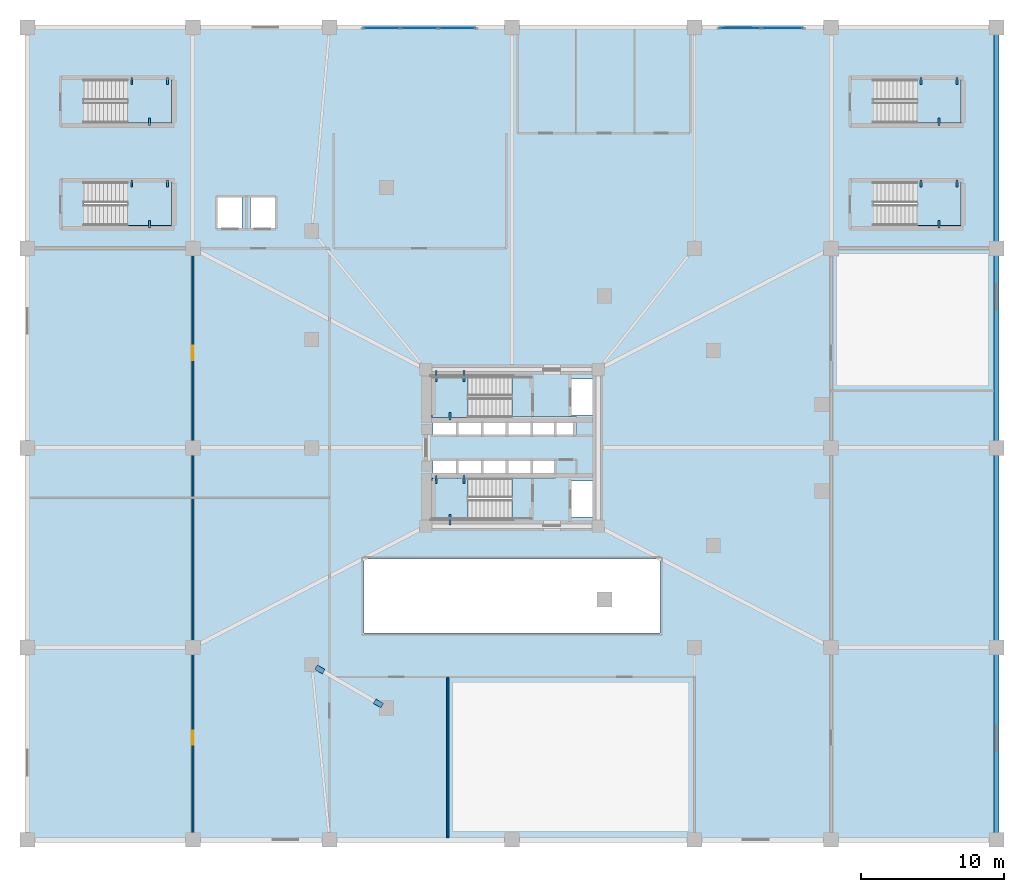
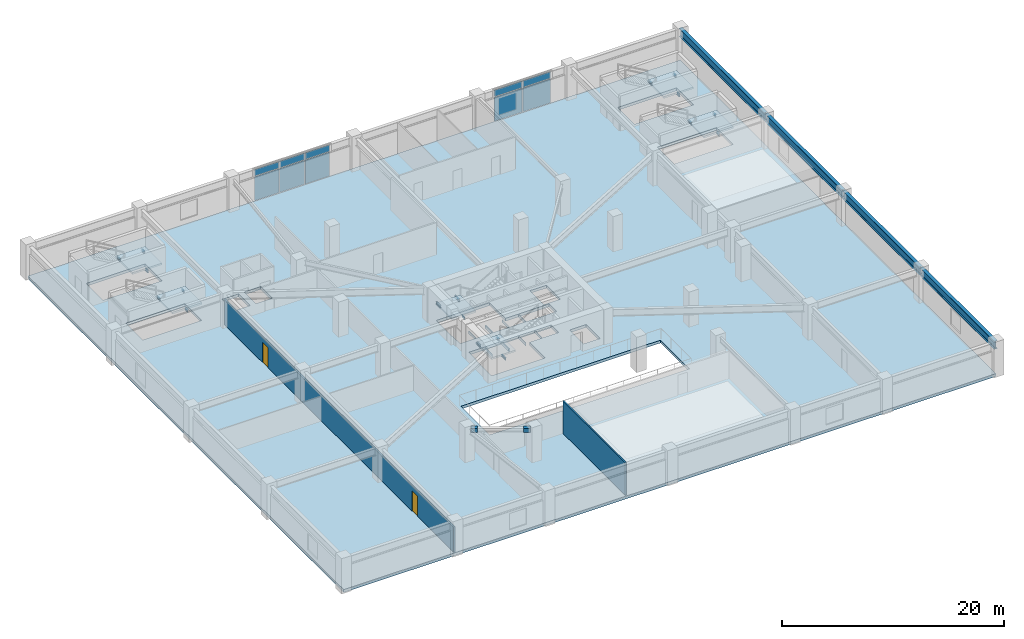
# One storey, part 3 of 15: 22 beams, 12 plates, 7 slabs, 2 doors, 2 walls, 2 openings, 8 elements without a shape of their own.
"""IFC4 building model written with IfcOpenShell, lengths in metres."""

from ifc_helpers import new_model, si_unit, direction, frame, frame_2d, origin, origin_2d, place, context, subcontext, project, spatial, polyline, rectangle, i_section, outline, extrude, source, transform, mapped, material, layer, layer_set, material_profile, profile_set, type_object, element, fill, aggregate, save


model = new_model("IFC4")

# Units and contexts
model_context = context("Model", 3, precision=1e-05, world=origin(), true_north=direction((0.0, 1.0)))
body_context = subcontext(model_context, "Body", "Model", "MODEL_VIEW")
ifc_project = project(units=[si_unit("LENGTHUNIT", "METRE"), si_unit("AREAUNIT", "SQUARE_METRE"), si_unit("VOLUMEUNIT", "CUBIC_METRE"), si_unit("PLANEANGLEUNIT", "RADIAN"), si_unit("MASSUNIT", "GRAM", prefix="KILO")], contexts=[model_context])

# Site, building, storey
site_placement = place(None, origin())
site = spatial("IfcSite", under=ifc_project, at=site_placement, CompositionType="ELEMENT")
building_placement = place(site_placement, origin())
building = spatial("IfcBuilding", under=site, at=building_placement, Name="Yunling Apex Tower", CompositionType="ELEMENT")
storey_placement = place(building_placement, frame((0.0, 0.0, 12.300048828125)))
storey = spatial("IfcBuildingStorey", under=building, at=storey_placement, Name="L04", CompositionType="ELEMENT", Elevation=12.300048828125)

# Beams
ifc_material_1 = material(Name="Steel Q355B", Category="steel")
ifc_material_profile_1 = material_profile(ifc_material_1, i_section(OverallWidth=0.125, OverallDepth=0.25, WebThickness=0.006103515625, FlangeThickness=0.009033203125, FilletRadius=0.011962890625, at=origin_2d()))
ifc_profile_set_1 = profile_set([ifc_material_profile_1], Name="Steel Q355B")
beam_type_1 = type_object("IfcBeamType", Name="BL-LNT-1", PredefinedType="LINTEL", material=ifc_profile_set_1)
shared_shape_1 = source(origin(), body_context, "Body", "SweptSolid", [
    extrude(i_section(OverallWidth=0.125, OverallDepth=0.25, WebThickness=0.006103515625, FlangeThickness=0.009033203125, FilletRadius=0.011962890625, at=origin_2d()), origin(), (0.0, 0.0, 1.0), 0.760009765625),
])
for number, where, z_axis, x_axis, name in (
    (1, (-5.320068359375, 5.419921875, 1.6298828125), (0.0, -1.0, 0.0), (1.0, 0.0, 0.0), "L04 ST-1 Landing Bearing Corbel 1-1"),
    (2, (-3.3701171875, 5.419921875, 1.6298828125), (0.0, -1.0, 0.0), (1.0, 0.0, 0.0), "L04 ST-1 Landing Bearing Corbel 1-2"),
    (3, (-4.344970703125, -5.419921875, 1.6298828125), (0.0, 1.0, 0.0), (-1.0, 0.0, 0.0), "L04 ST-2 Landing Bearing Corbel 1-3"),
):
    element("IfcBeam", number, at=place(storey_placement, frame(where, z_axis=z_axis, x_axis=x_axis)), inside=storey, type_object=beam_type_1, Name=name, PredefinedType="LINTEL", context=body_context, shape_type="MappedRepresentation", body=[
        mapped(shared_shape_1, transform((0.0, 0.0, 0.0), scale=1.0)),
    ])
shared_shape_2 = source(origin(), body_context, "Body", "SweptSolid", [
    extrude(i_section(OverallWidth=0.125, OverallDepth=0.25, WebThickness=0.006103515625, FlangeThickness=0.009033203125, FilletRadius=0.011962890625, at=origin_2d()), origin(), (0.0, 0.0, 1.0), 0.550048828125),
])
for number, where, z_axis, x_axis, name in (
    (4, (-4.344970703125, 1.93994140625, 1.6298828125), (0.0, 1.0, 0.0), (-1.0, 0.0, 0.0), "L04 ST-1 Landing Bearing Corbel 1-3"),
    (5, (-5.320068359375, -1.93994140625, 1.6298828125), (0.0, -1.0, 0.0), (1.0, 0.0, 0.0), "L04 ST-2 Landing Bearing Corbel 1-1"),
    (6, (-3.3701171875, -1.93994140625, 1.6298828125), (0.0, -1.0, 0.0), (1.0, 0.0, 0.0), "L04 ST-2 Landing Bearing Corbel 1-2"),
):
    element("IfcBeam", number, at=place(storey_placement, frame(where, z_axis=z_axis, x_axis=x_axis)), inside=storey, type_object=beam_type_1, Name=name, PredefinedType="LINTEL", context=body_context, shape_type="MappedRepresentation", body=[
        mapped(shared_shape_2, transform((0.0, 0.0, 0.0), scale=1.0)),
    ])
shared_shape_3 = source(origin(), body_context, "Body", "SweptSolid", [
    extrude(i_section(OverallWidth=0.125, OverallDepth=0.25, WebThickness=0.006103515625, FlangeThickness=0.009033203125, FilletRadius=0.011962890625, at=origin_2d()), origin(), (0.0, 0.0, 1.0), 0.47998046875),
])
for number, where, z_axis, x_axis, name in (
    (7, (-26.68994140625, 18.780029296875, 1.6298828125), (0.0, -1.0, 0.0), (1.0, 0.0, 0.0), "L04 ST-P1 Landing Bearing Corbel 1-1"),
    (8, (-24.179931640625, 18.780029296875, 1.6298828125), (0.0, -1.0, 0.0), (1.0, 0.0, 0.0), "L04 ST-P1 Landing Bearing Corbel 1-2"),
    (9, (28.7099609375, 18.780029296875, 1.6298828125), (0.0, -1.0, 0.0), (1.0, 0.0, 0.0), "L04 ST-P2 Landing Bearing Corbel 1-1"),
    (10, (31.219970703125, 18.780029296875, 1.6298828125), (0.0, -1.0, 0.0), (1.0, 0.0, 0.0), "L04 ST-P2 Landing Bearing Corbel 1-2"),
    (11, (-26.68994140625, 25.97998046875, 1.6298828125), (0.0, -1.0, 0.0), (1.0, 0.0, 0.0), "L04 ST-G1 Landing Bearing Corbel 1-1"),
    (12, (-24.179931640625, 25.97998046875, 1.6298828125), (0.0, -1.0, 0.0), (1.0, 0.0, 0.0), "L04 ST-G1 Landing Bearing Corbel 1-2"),
    (13, (28.7099609375, 25.97998046875, 1.6298828125), (0.0, -1.0, 0.0), (1.0, 0.0, 0.0), "L04 ST-G2 Landing Bearing Corbel 1-1"),
    (14, (31.219970703125, 25.97998046875, 1.6298828125), (0.0, -1.0, 0.0), (1.0, 0.0, 0.0), "L04 ST-G2 Landing Bearing Corbel 1-2"),
):
    element("IfcBeam", number, at=place(storey_placement, frame(where, z_axis=z_axis, x_axis=x_axis)), inside=storey, type_object=beam_type_1, Name=name, PredefinedType="LINTEL", context=body_context, shape_type="MappedRepresentation", body=[
        mapped(shared_shape_3, transform((0.0, 0.0, 0.0), scale=1.0)),
    ])
shared_shape_4 = source(origin(), body_context, "Body", "SweptSolid", [
    extrude(i_section(OverallWidth=0.125, OverallDepth=0.25, WebThickness=0.006103515625, FlangeThickness=0.009033203125, FilletRadius=0.011962890625, at=origin_2d()), origin(), (0.0, 0.0, 1.0), 0.530029296875),
])
for number, where, z_axis, x_axis, name in (
    (15, (-25.43505859375, 15.419921875, 1.6298828125), (0.0, 1.0, 0.0), (-1.0, 0.0, 0.0), "L04 ST-P1 Landing Bearing Corbel 1-3"),
    (16, (29.965087890625, 15.419921875, 1.6298828125), (0.0, 1.0, 0.0), (-1.0, 0.0, 0.0), "L04 ST-P2 Landing Bearing Corbel 1-3"),
):
    element("IfcBeam", number, at=place(storey_placement, frame(where, z_axis=z_axis, x_axis=x_axis)), inside=storey, type_object=beam_type_1, Name=name, PredefinedType="LINTEL", context=body_context, shape_type="MappedRepresentation", body=[
        mapped(shared_shape_4, transform((0.0, 0.0, 0.0), scale=1.0)),
    ])
shared_shape_5 = source(origin(), body_context, "Body", "SweptSolid", [
    extrude(i_section(OverallWidth=0.125, OverallDepth=0.25, WebThickness=0.006103515625, FlangeThickness=0.009033203125, FilletRadius=0.011962890625, at=origin_2d()), origin(), (0.0, 0.0, 1.0), 0.52978515625),
])
for number, where, z_axis, x_axis, name in (
    (17, (-25.43505859375, 22.6201171875, 1.6298828125), (0.0, 1.0, 0.0), (-1.0, 0.0, 0.0), "L04 ST-G1 Landing Bearing Corbel 1-3"),
    (18, (29.965087890625, 22.6201171875, 1.6298828125), (0.0, 1.0, 0.0), (-1.0, 0.0, 0.0), "L04 ST-G2 Landing Bearing Corbel 1-3"),
):
    element("IfcBeam", number, at=place(storey_placement, frame(where, z_axis=z_axis, x_axis=x_axis)), inside=storey, type_object=beam_type_1, Name=name, PredefinedType="LINTEL", context=body_context, shape_type="MappedRepresentation", body=[
        mapped(shared_shape_5, transform((0.0, 0.0, 0.0), scale=1.0)),
    ])
ifc_material_profile_2 = material_profile(ifc_material_1, i_section(OverallWidth=0.35009765625, OverallDepth=0.89990234375, WebThickness=0.01806640625, FlangeThickness=0.028076171875, FilletRadius=0.02392578125, at=origin_2d()))
ifc_profile_set_2 = profile_set([ifc_material_profile_2], Name="Steel Q355B")
beam_type_2 = type_object("IfcBeamType", Name="BG-PRI-1", PredefinedType="USERDEFINED", material=ifc_profile_set_2)
shared_shape_6 = source(origin(), body_context, "Body", "SweptSolid", [
    extrude(i_section(OverallWidth=0.35009765625, OverallDepth=0.89990234375, WebThickness=0.01806640625, FlangeThickness=0.028076171875, FilletRadius=0.02392578125, at=origin_2d()), origin(), (0.0, 0.0, 1.0), 13.419921875),
])
beam_1_placement = place(storey_placement, frame((34.0, -27.4599609375, 3.139892578125), z_axis=(0.0, 1.0, 0.0), x_axis=(-1.0, 0.0, 0.0)))
element("IfcBeam", 19, at=beam_1_placement, inside=storey, type_object=beam_type_2, Name="L04 Podium Side Girder 17", ObjectType="GIRDER", PredefinedType="USERDEFINED", context=body_context, shape_type="MappedRepresentation", body=[
    mapped(shared_shape_6, transform((0.0, 0.0, 0.0), scale=1.0)),
])
shared_shape_7 = source(origin(), body_context, "Body", "SweptSolid", [
    extrude(i_section(OverallWidth=0.35009765625, OverallDepth=0.89990234375, WebThickness=0.01806640625, FlangeThickness=0.028076171875, FilletRadius=0.02392578125, at=origin_2d()), origin(), (0.0, 0.0, 1.0), 13.919921875),
])
for number, where, z_axis, x_axis, name in (
    (20, (34.0, -13.9599609375, 3.139892578125), (0.0, 1.0, 0.0), (-1.0, 0.0, 0.0), "L04 Podium Side Girder 18"),
    (21, (34.0, 0.0400390625, 3.139892578125), (0.0, 1.0, 0.0), (-1.0, 0.0, 0.0), "L04 Podium Side Girder 19"),
):
    element("IfcBeam", number, at=place(storey_placement, frame(where, z_axis=z_axis, x_axis=x_axis)), inside=storey, type_object=beam_type_2, Name=name, ObjectType="GIRDER", PredefinedType="USERDEFINED", context=body_context, shape_type="MappedRepresentation", body=[
        mapped(shared_shape_7, transform((0.0, 0.0, 0.0), scale=1.0)),
    ])
shared_shape_8 = source(origin(), body_context, "Body", "SweptSolid", [
    extrude(i_section(OverallWidth=0.35009765625, OverallDepth=0.89990234375, WebThickness=0.01806640625, FlangeThickness=0.028076171875, FilletRadius=0.02392578125, at=origin_2d()), origin(), (0.0, 0.0, 1.0), 15.419921875),
])
beam_2_placement = place(storey_placement, frame((34.0, 14.0400390625, 3.139892578125), z_axis=(0.0, 1.0, 0.0), x_axis=(-1.0, 0.0, 0.0)))
element("IfcBeam", 22, at=beam_2_placement, inside=storey, type_object=beam_type_2, Name="L04 Podium Side Girder 20", ObjectType="GIRDER", PredefinedType="USERDEFINED", context=body_context, shape_type="MappedRepresentation", body=[
    mapped(shared_shape_8, transform((0.0, 0.0, 0.0), scale=1.0)),
])

# Stair, slab
ifc_material_2 = material(Name="Concrete C40", Category="concrete")
stair_type_1 = type_object("IfcStairType", Name="ST-TWR-1", PredefinedType="HALF_TURN_STAIR", material=ifc_material_2)
stair_1_placement = place(storey_placement, origin())
stair_1 = element("IfcStair", 23, at=stair_1_placement, inside=storey, type_object=stair_type_1, Name="L04 North Core Smokeproof Exit Stair ST-1", PredefinedType="HALF_TURN_STAIR")
ifc_layer_1 = layer(ifc_material_2, 0.195068359375)
ifc_layer_set_1 = layer_set([ifc_layer_1], Name="Concrete C40")
slab_type_1 = type_object("IfcSlabType", Name="SL-LND-1", PredefinedType="LANDING", material=ifc_layer_set_1)
slab_1_placement = place(storey_placement, frame((0.0, 0.0, 1.7548828125)))
slab_1 = element("IfcSlab", 24, at=slab_1_placement, type_object=slab_type_1, Name="ST-1 landing 1", PredefinedType="LANDING", context=body_context, shape_type="SweptSolid", body=[
    extrude(outline(polyline([(-3.090087890625, 5.010009765625), (-5.60009765625, 5.010009765625), (-5.60009765625, 2.139892578125), (-3.090087890625, 2.139892578125), (-3.090087890625, 5.010009765625)])), origin(), (0.0, 0.0, 1.0), 0.195068359375),
])
aggregate(stair_1, [slab_1])

stair_2_placement = place(storey_placement, origin())
stair_2 = element("IfcStair", 25, at=stair_2_placement, inside=storey, type_object=stair_type_1, Name="L04 South Core Smokeproof Exit Stair ST-2", PredefinedType="HALF_TURN_STAIR")
slab_2_placement = place(storey_placement, frame((0.0, 0.0, 1.7548828125)))
slab_2 = element("IfcSlab", 26, at=slab_2_placement, type_object=slab_type_1, Name="ST-2 landing 1", PredefinedType="LANDING", context=body_context, shape_type="SweptSolid", body=[
    extrude(outline(polyline([(-3.090087890625, -2.139892578125), (-5.60009765625, -2.139892578125), (-5.60009765625, -5.010009765625), (-3.090087890625, -5.010009765625), (-3.090087890625, -2.139892578125)])), origin(), (0.0, 0.0, 1.0), 0.195068359375),
])
aggregate(stair_2, [slab_2])

stair_type_2 = type_object("IfcStairType", Name="ST-POD-1", PredefinedType="HALF_TURN_STAIR", material=ifc_material_2)
stair_3_placement = place(storey_placement, origin())
stair_3 = element("IfcStair", 27, at=stair_3_placement, inside=storey, type_object=stair_type_2, Name="L04 West Podium Smokeproof Stair ST-P1", PredefinedType="HALF_TURN_STAIR")
slab_3_placement = place(storey_placement, frame((0.0, 0.0, 1.7548828125)))
slab_3 = element("IfcSlab", 28, at=slab_3_placement, type_object=slab_type_1, Name="ST-P1 landing 1", PredefinedType="LANDING", context=body_context, shape_type="SweptSolid", body=[
    extrude(outline(polyline([(-26.969970703125, 15.60009765625), (-23.89990234375, 15.60009765625), (-23.89990234375, 18.64990234375), (-26.969970703125, 18.64990234375), (-26.969970703125, 15.60009765625)])), origin(), (0.0, 0.0, 1.0), 0.195068359375),
])
aggregate(stair_3, [slab_3])

stair_4_placement = place(storey_placement, origin())
stair_4 = element("IfcStair", 29, at=stair_4_placement, inside=storey, type_object=stair_type_2, Name="L04 East Podium Smokeproof Stair ST-P2", PredefinedType="HALF_TURN_STAIR")
slab_4_placement = place(storey_placement, frame((0.0, 0.0, 1.7548828125)))
slab_4 = element("IfcSlab", 30, at=slab_4_placement, type_object=slab_type_1, Name="ST-P2 landing 1", PredefinedType="LANDING", context=body_context, shape_type="SweptSolid", body=[
    extrude(outline(polyline([(28.429931640625, 15.60009765625), (31.5, 15.60009765625), (31.5, 18.64990234375), (28.429931640625, 18.64990234375), (28.429931640625, 15.60009765625)])), origin(), (0.0, 0.0, 1.0), 0.195068359375),
])
aggregate(stair_4, [slab_4])

stair_type_3 = type_object("IfcStairType", Name="ST-GDN-1", PredefinedType="STRAIGHT_RUN_STAIR", material=ifc_material_2)
stair_5_placement = place(storey_placement, origin())
stair_5 = element("IfcStair", 31, at=stair_5_placement, inside=storey, type_object=stair_type_3, Name="L04 West Plaza-to-Garden External Stair ST-G1", PredefinedType="HALF_TURN_STAIR")
slab_5_placement = place(storey_placement, frame((0.0, 0.0, 1.7548828125)))
slab_5 = element("IfcSlab", 32, at=slab_5_placement, type_object=slab_type_1, Name="ST-G1 landing 1", PredefinedType="LANDING", context=body_context, shape_type="SweptSolid", body=[
    extrude(outline(polyline([(-26.969970703125, 22.800048828125), (-23.89990234375, 22.800048828125), (-23.89990234375, 25.85009765625), (-26.969970703125, 25.85009765625), (-26.969970703125, 22.800048828125)])), origin(), (0.0, 0.0, 1.0), 0.195068359375),
])
aggregate(stair_5, [slab_5])

stair_6_placement = place(storey_placement, origin())
stair_6 = element("IfcStair", 33, at=stair_6_placement, inside=storey, type_object=stair_type_3, Name="L04 East Plaza-to-Garden External Stair ST-G2", PredefinedType="HALF_TURN_STAIR")
slab_6_placement = place(storey_placement, frame((0.0, 0.0, 1.7548828125)))
slab_6 = element("IfcSlab", 34, at=slab_6_placement, type_object=slab_type_1, Name="ST-G2 landing 1", PredefinedType="LANDING", context=body_context, shape_type="SweptSolid", body=[
    extrude(outline(polyline([(28.429931640625, 22.800048828125), (31.5, 22.800048828125), (31.5, 25.85009765625), (28.429931640625, 25.85009765625), (28.429931640625, 22.800048828125)])), origin(), (0.0, 0.0, 1.0), 0.195068359375),
])
aggregate(stair_6, [slab_6])

# Slab
ifc_layer_2 = layer(ifc_material_2, 0.31005859375)
ifc_layer_set_2 = layer_set([ifc_layer_2], Name="Concrete C40")
slab_type_2 = type_object("IfcSlabType", Name="SL-POD-2", PredefinedType="FLOOR", material=ifc_layer_set_2)
slab_7_placement = place(storey_placement, frame((0.0, 0.0, -0.31005859375)))
element("IfcSlab", 35, at=slab_7_placement, inside=storey, type_object=slab_type_2, Name="L04 Structural Floor Slab", PredefinedType="FLOOR", context=body_context, shape_type="SweptSolid", body=[
    extrude(outline(polyline([(-34.0, -27.5), (34.0, -27.5), (34.0, 29.5), (-34.0, 29.5), (-34.0, -27.5)]), holes=[polyline([(31.5, 15.60009765625), (25.35009765625, 15.60009765625), (25.35009765625, 18.64990234375), (31.5, 18.64990234375), (31.5, 15.60009765625)]), polyline([(31.5, 22.800048828125), (25.35009765625, 22.800048828125), (25.35009765625, 25.85009765625), (31.5, 25.85009765625), (31.5, 22.800048828125)]), polyline([(10.39990234375, -7.800048828125), (10.39990234375, -13.0), (-10.39990234375, -13.0), (-10.39990234375, -7.800048828125), (10.39990234375, -7.800048828125)]), polyline([(5.81005859375, -2.320068359375), (5.81005859375, -4.840087890625), (4.090087890625, -4.840087890625), (4.090087890625, -2.320068359375), (5.81005859375, -2.320068359375)]), polyline([(5.81005859375, 4.840087890625), (5.81005859375, 2.320068359375), (4.090087890625, 2.320068359375), (4.090087890625, 4.840087890625), (5.81005859375, 4.840087890625)]), polyline([(4.534912109375, 0.794921875), (1.364990234375, 0.794921875), (1.364990234375, 2.1650390625), (4.534912109375, 2.1650390625), (4.534912109375, 0.794921875)]), polyline([(3.034912109375, -2.1650390625), (1.364990234375, -2.1650390625), (1.364990234375, -0.794921875), (3.034912109375, -0.794921875), (3.034912109375, -2.1650390625)]), polyline([(-5.60009765625, 5.010009765625), (-0.010009765625, 5.010009765625), (-0.010009765625, 2.1650390625), (1.3349609375, 2.1650390625), (1.3349609375, 0.794921875), (-0.3349609375, 0.794921875), (-0.3349609375, 2.139892578125), (-0.364990234375, 2.139892578125), (-0.364990234375, 0.794921875), (-2.034912109375, 0.794921875), (-2.034912109375, 2.139892578125), (-2.1650390625, 2.139892578125), (-2.1650390625, 0.794921875), (-3.8349609375, 0.794921875), (-3.8349609375, 2.139892578125), (-3.864990234375, 2.139892578125), (-3.864990234375, 0.794921875), (-5.534912109375, 0.794921875), (-5.534912109375, 2.139892578125), (-5.60009765625, 2.139892578125), (-5.60009765625, 5.010009765625)]), polyline([(-3.864990234375, -0.794921875), (-3.864990234375, -2.139892578125), (-3.8349609375, -2.139892578125), (-3.8349609375, -0.794921875), (-2.1650390625, -0.794921875), (-2.1650390625, -2.139892578125), (-2.034912109375, -2.139892578125), (-2.034912109375, -0.794921875), (-0.364990234375, -0.794921875), (-0.364990234375, -2.139892578125), (-0.3349609375, -2.139892578125), (-0.3349609375, -0.794921875), (1.3349609375, -0.794921875), (1.3349609375, -2.1650390625), (-0.010009765625, -2.1650390625), (-0.010009765625, -5.010009765625), (-5.60009765625, -5.010009765625), (-5.60009765625, -2.139892578125), (-5.534912109375, -2.139892578125), (-5.534912109375, -0.794921875), (-3.864990234375, -0.794921875)]), polyline([(-16.639892578125, 17.56005859375), (-16.639892578125, 15.43994140625), (-18.360107421875, 15.43994140625), (-18.360107421875, 17.56005859375), (-16.639892578125, 17.56005859375)]), polyline([(-18.93994140625, 15.43994140625), (-20.659912109375, 15.43994140625), (-20.659912109375, 17.56005859375), (-18.93994140625, 17.56005859375), (-18.93994140625, 15.43994140625)]), polyline([(-23.89990234375, 15.60009765625), (-30.050048828125, 15.60009765625), (-30.050048828125, 18.64990234375), (-23.89990234375, 18.64990234375), (-23.89990234375, 15.60009765625)]), polyline([(-23.89990234375, 22.800048828125), (-30.050048828125, 22.800048828125), (-30.050048828125, 25.85009765625), (-23.89990234375, 25.85009765625), (-23.89990234375, 22.800048828125)])]), origin(), (0.0, 0.0, 1.0), 0.31005859375),
])

# Plates
ifc_layer_3 = layer(ifc_material_1, 0.031982421875)
ifc_layer_set_3 = layer_set([ifc_layer_3], Name="Steel Q355B")
plate_type_1 = type_object("IfcPlateType", Name="NP-GUS-2", PredefinedType="USERDEFINED", material=ifc_layer_set_3)
shared_shape_9 = source(origin(), body_context, "Body", "SweptSolid", [
    extrude(rectangle(XDim=0.6201171875, YDim=0.360107421875, at=origin_2d()), origin(), (0.0, 0.0, 1.0), 0.47998046875),
])
for number, where, z_axis, x_axis, name in (
    (36, (-13.48779296875, -15.546142578125, 3.0), (0.0, 0.0, 1.0), (0.864976307593, -0.501812701416, 0.0), "L04 Atrium Tie Strut End Gusset Plate 438"),
    (37, (-9.372314453125, -17.933837890625, 3.0), (0.0, 0.0, 1.0), (0.864976307593, -0.501812701416, 0.0), "L04 Atrium Tie Strut End Gusset Plate 439"),
):
    element("IfcPlate", number, at=place(storey_placement, frame(where, z_axis=z_axis, x_axis=x_axis)), inside=storey, type_object=plate_type_1, Name=name, ObjectType="GUSSET_PLATE", PredefinedType="USERDEFINED", context=body_context, shape_type="MappedRepresentation", body=[
        mapped(shared_shape_9, transform((0.0, 0.0, 0.0), scale=1.0)),
    ])

# Curtain wall, plates
ifc_material_3 = material(Name="Bronze anodised aluminium", Category="aluminium")
ifc_layer_4 = layer(ifc_material_3, 0.280029296875)
ifc_layer_set_4 = layer_set([ifc_layer_4], Name="Bronze anodised aluminium")
curtain_wall_type = type_object("IfcCurtainWallType", Name="CW-SYS-1", PredefinedType="NOTDEFINED", material=ifc_layer_set_4)
curtain_wall_1_placement = place(storey_placement, origin())
curtain_wall_1 = element("IfcCurtainWall", 38, at=curtain_wall_1_placement, inside=storey, type_object=curtain_wall_type, Name="CW-POD-L04-1", PredefinedType="NOTDEFINED")
ifc_material_4 = material(Name="Bronze tinted low-E glass", Category="glass")
ifc_layer_5 = layer(ifc_material_4, 0.035888671875)
ifc_layer_set_5 = layer_set([ifc_layer_5], Name="Bronze tinted low-E glass")
plate_type_2 = type_object("IfcPlateType", Name="CW-PNL-1", PredefinedType="CURTAIN_PANEL", material=ifc_layer_set_5)
shared_shape_10 = source(origin(), body_context, "Body", "SweptSolid", [
    extrude(rectangle(XDim=2.548583984375, YDim=0.035888671875, at=origin_2d()), origin(), (0.0, 0.0, 1.0), 0.73193359375),
])
plate_1_placement = place(storey_placement, frame((-9.144287109375, 29.449951171875, 2.7763671875), z_axis=(0.0, 0.0, 1.0), x_axis=(1.0, 0.0, 0.0)))
plate_1 = element("IfcPlate", 39, at=plate_1_placement, type_object=plate_type_2, Name="CW-SYS-1 panel 1.2", PredefinedType="CURTAIN_PANEL", context=body_context, shape_type="MappedRepresentation", body=[
    mapped(shared_shape_10, transform((0.0, 0.0, 0.0), scale=1.0)),
])
plate_2_placement = place(storey_placement, frame((-3.855712890625, 29.449951171875, 2.7763671875), z_axis=(0.0, 0.0, 1.0), x_axis=(1.0, 0.0, 0.0)))
plate_2 = element("IfcPlate", 40, at=plate_2_placement, type_object=plate_type_2, Name="CW-SYS-1 panel 3.2", PredefinedType="CURTAIN_PANEL", context=body_context, shape_type="MappedRepresentation", body=[
    mapped(shared_shape_10, transform((0.0, 0.0, 0.0), scale=1.0)),
])
shared_shape_11 = source(origin(), body_context, "Body", "SweptSolid", [
    extrude(rectangle(XDim=2.59375, YDim=0.035888671875, at=origin_2d()), origin(), (0.0, 0.0, 1.0), 0.73193359375),
])
plate_3_placement = place(storey_placement, frame((-6.5, 29.449951171875, 2.7763671875), z_axis=(0.0, 0.0, 1.0), x_axis=(1.0, 0.0, 0.0)))
plate_3 = element("IfcPlate", 41, at=plate_3_placement, type_object=plate_type_2, Name="CW-SYS-1 panel 2.2", PredefinedType="CURTAIN_PANEL", context=body_context, shape_type="MappedRepresentation", body=[
    mapped(shared_shape_11, transform((0.0, 0.0, 0.0), scale=1.0)),
])

curtain_wall_2_placement = place(storey_placement, origin())
curtain_wall_2 = element("IfcCurtainWall", 42, at=curtain_wall_2_placement, inside=storey, type_object=curtain_wall_type, Name="CW-POD-L04-2", PredefinedType="NOTDEFINED")
shared_shape_12 = source(origin(), body_context, "Body", "SweptSolid", [
    extrude(rectangle(XDim=2.882080078125, YDim=0.035888671875, at=origin_2d()), origin(), (0.0, 0.0, 1.0), 0.73193359375),
])
plate_4_placement = place(storey_placement, frame((16.0224609375, 29.449951171875, 2.7763671875), z_axis=(0.0, 0.0, 1.0), x_axis=(1.0, 0.0, 0.0)))
plate_4 = element("IfcPlate", 43, at=plate_4_placement, type_object=plate_type_2, Name="CW-SYS-1 panel 1.2", PredefinedType="CURTAIN_PANEL", context=body_context, shape_type="MappedRepresentation", body=[
    mapped(shared_shape_12, transform((0.0, 0.0, 0.0), scale=1.0)),
])
plate_5_placement = place(storey_placement, frame((18.9775390625, 29.449951171875, 2.7763671875), z_axis=(0.0, 0.0, 1.0), x_axis=(1.0, 0.0, 0.0)))
plate_5 = element("IfcPlate", 44, at=plate_5_placement, type_object=plate_type_2, Name="CW-SYS-1 panel 2.2", PredefinedType="CURTAIN_PANEL", context=body_context, shape_type="MappedRepresentation", body=[
    mapped(shared_shape_12, transform((0.0, 0.0, 0.0), scale=1.0)),
])

# Plate
shared_shape_13 = source(origin(), body_context, "Body", "SweptSolid", [
    extrude(rectangle(XDim=2.548583984375, YDim=0.035888671875, at=origin_2d()), origin(), (0.0, 0.0, 1.0), 2.6220703125),
])
plate_6_placement = place(storey_placement, frame((-9.144287109375, 29.449951171875, 0.081298828125), z_axis=(0.0, 0.0, 1.0), x_axis=(1.0, 0.0, 0.0)))
plate_6 = element("IfcPlate", 45, at=plate_6_placement, type_object=plate_type_2, Name="CW-SYS-1 panel 1.1", PredefinedType="CURTAIN_PANEL", context=body_context, shape_type="MappedRepresentation", body=[
    mapped(shared_shape_13, transform((0.0, 0.0, 0.0), scale=1.0)),
])

plate_7_placement = place(storey_placement, frame((-3.855712890625, 29.449951171875, 0.081298828125), z_axis=(0.0, 0.0, 1.0), x_axis=(1.0, 0.0, 0.0)))
plate_7 = element("IfcPlate", 46, at=plate_7_placement, type_object=plate_type_2, Name="CW-SYS-1 panel 3.1", PredefinedType="CURTAIN_PANEL", context=body_context, shape_type="MappedRepresentation", body=[
    mapped(shared_shape_13, transform((0.0, 0.0, 0.0), scale=1.0)),
])

shared_shape_14 = source(origin(), body_context, "Body", "SweptSolid", [
    extrude(rectangle(XDim=2.59375, YDim=0.035888671875, at=origin_2d()), origin(), (0.0, 0.0, 1.0), 2.6220703125),
])
plate_8_placement = place(storey_placement, frame((-6.5, 29.449951171875, 0.081298828125), z_axis=(0.0, 0.0, 1.0), x_axis=(1.0, 0.0, 0.0)))
plate_8 = element("IfcPlate", 47, at=plate_8_placement, type_object=plate_type_2, Name="CW-SYS-1 panel 2.1", PredefinedType="CURTAIN_PANEL", context=body_context, shape_type="MappedRepresentation", body=[
    mapped(shared_shape_14, transform((0.0, 0.0, 0.0), scale=1.0)),
])

aggregate(curtain_wall_1, [plate_6, plate_1, plate_8, plate_3, plate_7, plate_2])

shared_shape_15 = source(origin(), body_context, "Body", "SweptSolid", [
    extrude(rectangle(XDim=2.882080078125, YDim=0.035888671875, at=origin_2d()), origin(), (0.0, 0.0, 1.0), 2.6220703125),
])
plate_9_placement = place(storey_placement, frame((16.0224609375, 29.449951171875, 0.081298828125), z_axis=(0.0, 0.0, 1.0), x_axis=(1.0, 0.0, 0.0)))
plate_9 = element("IfcPlate", 48, at=plate_9_placement, type_object=plate_type_2, Name="CW-SYS-1 panel 1.1", PredefinedType="CURTAIN_PANEL", context=body_context, shape_type="MappedRepresentation", body=[
    mapped(shared_shape_15, transform((0.0, 0.0, 0.0), scale=1.0)),
])

plate_10_placement = place(storey_placement, frame((18.9775390625, 29.449951171875, 0.081298828125), z_axis=(0.0, 0.0, 1.0), x_axis=(1.0, 0.0, 0.0)))
plate_10 = element("IfcPlate", 49, at=plate_10_placement, type_object=plate_type_2, Name="CW-SYS-1 panel 2.1", PredefinedType="CURTAIN_PANEL", context=body_context, shape_type="MappedRepresentation", body=[
    mapped(shared_shape_15, transform((0.0, 0.0, 0.0), scale=1.0)),
])

aggregate(curtain_wall_2, [plate_9, plate_4, plate_10, plate_5])

# Wall, openings, doors
ifc_material_5 = material(Name="Gypsum board acoustic partition")
ifc_layer_6 = layer(ifc_material_5, 0.139892578125)
ifc_layer_set_6 = layer_set([ifc_layer_6], Name="Gypsum board acoustic partition")
wall_type = type_object("IfcWallType", Name="WL-PRT-2", PredefinedType="PARTITIONING", material=ifc_layer_set_6)
wall_1_placement = place(storey_placement, frame((-22.39990234375, -27.35009765625, 0.0), z_axis=(0.0, 0.0, 1.0), x_axis=(0.0, 1.0, 0.0)))
wall_1 = element("IfcWall", 50, at=wall_1_placement, inside=storey, type_object=wall_type, Name="WL-L04-WSUB", PredefinedType="PARTITIONING", context=body_context, shape_type="SweptSolid", body=[
    extrude(rectangle(XDim=41.35009765625, YDim=0.139892578125, at=frame_2d((20.675048828125, 0.0))), origin(), (0.0, 0.0, 1.0), 2.77490234375),
])
opening_1_placement = place(wall_1_placement, frame((6.5, 0.0, 0.0)))
opening_1 = element("IfcOpeningElement", 51, at=opening_1_placement, cuts=wall_1, Name="Opening DR-OFF-1", PredefinedType="OPENING", context=body_context, shape_type="SweptSolid", body=[
    extrude(rectangle(XDim=1.0, YDim=2.25, at=frame_2d((0.5, 1.125))), frame((0.0, 0.080078125, 0.0), z_axis=(0.0, -1.0, 0.0), x_axis=(1.0, 0.0, 0.0)), (0.0, 0.0, 1.0), 0.159912109375),
])
opening_2_placement = place(wall_1_placement, frame((33.5, 0.0, 0.0)))
opening_2 = element("IfcOpeningElement", 52, at=opening_2_placement, cuts=wall_1, Name="Opening DR-OFF-1", PredefinedType="OPENING", context=body_context, shape_type="SweptSolid", body=[
    extrude(rectangle(XDim=1.0, YDim=2.25, at=frame_2d((0.5, 1.125))), frame((0.0, 0.080078125, 0.0), z_axis=(0.0, -1.0, 0.0), x_axis=(1.0, 0.0, 0.0)), (0.0, 0.0, 1.0), 0.159912109375),
])
door_type = type_object("IfcDoorType", Name="DR-OFF-1", OperationType="NOTDEFINED", PredefinedType="DOOR", material=ifc_material_3)
door_1_placement = place(opening_1_placement, origin())
door_1 = element("IfcDoor", 53, at=door_1_placement, inside=storey, type_object=door_type, Name="L04 West Hall Link 1", OperationType="SINGLE_SWING_RIGHT", OverallHeight=2.25, OverallWidth=1.0, PredefinedType="DOOR", context=body_context, shape_type="SweptSolid", body=[
    extrude(rectangle(XDim=1.0, YDim=2.25, at=frame_2d((0.5, 1.125))), frame((0.0, 0.02490234375, 0.0), z_axis=(0.0, -1.0, 0.0), x_axis=(1.0, 0.0, 0.0)), (0.0, 0.0, 1.0), 0.050048828125),
])
fill(opening_1, door_1)
door_2_placement = place(opening_2_placement, origin())
door_2 = element("IfcDoor", 54, at=door_2_placement, inside=storey, type_object=door_type, Name="L04 West Hall Link 2", OperationType="SINGLE_SWING_LEFT", OverallHeight=2.25, OverallWidth=1.0, PredefinedType="DOOR", context=body_context, shape_type="SweptSolid", body=[
    extrude(rectangle(XDim=1.0, YDim=2.25, at=frame_2d((0.5, 1.125))), frame((0.0, 0.02490234375, 0.0), z_axis=(0.0, -1.0, 0.0), x_axis=(1.0, 0.0, 0.0)), (0.0, 0.0, 1.0), 0.050048828125),
])
fill(opening_2, door_2)

# Wall
wall_2_placement = place(storey_placement, frame((-4.5, -27.35009765625, 0.0), z_axis=(0.0, 0.0, 1.0), x_axis=(0.0, 1.0, 0.0)))
element("IfcWall", 55, at=wall_2_placement, inside=storey, type_object=wall_type, Name="WL-L04-SM", PredefinedType="PARTITIONING", context=body_context, shape_type="SweptSolid", body=[
    extrude(rectangle(XDim=11.27001953125, YDim=0.139892578125, at=frame_2d((5.635009765625, 0.0))), origin(), (0.0, 0.0, 1.0), 3.570068359375),
])

save(model, "model.ifc")
